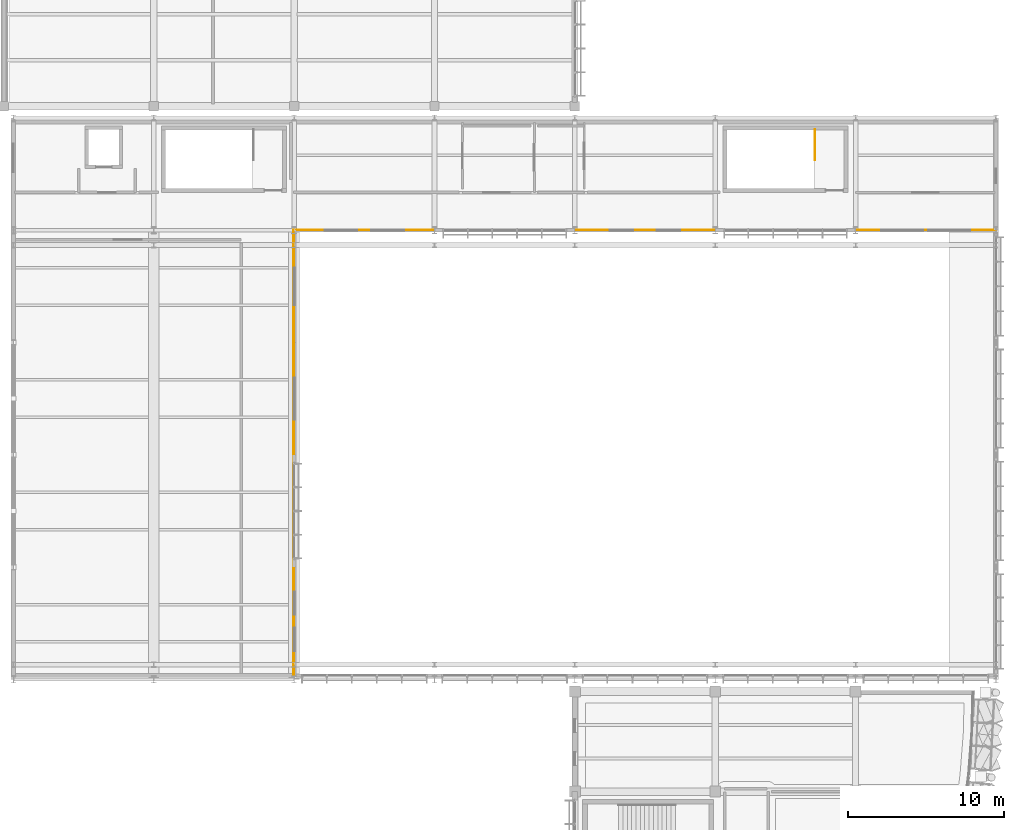
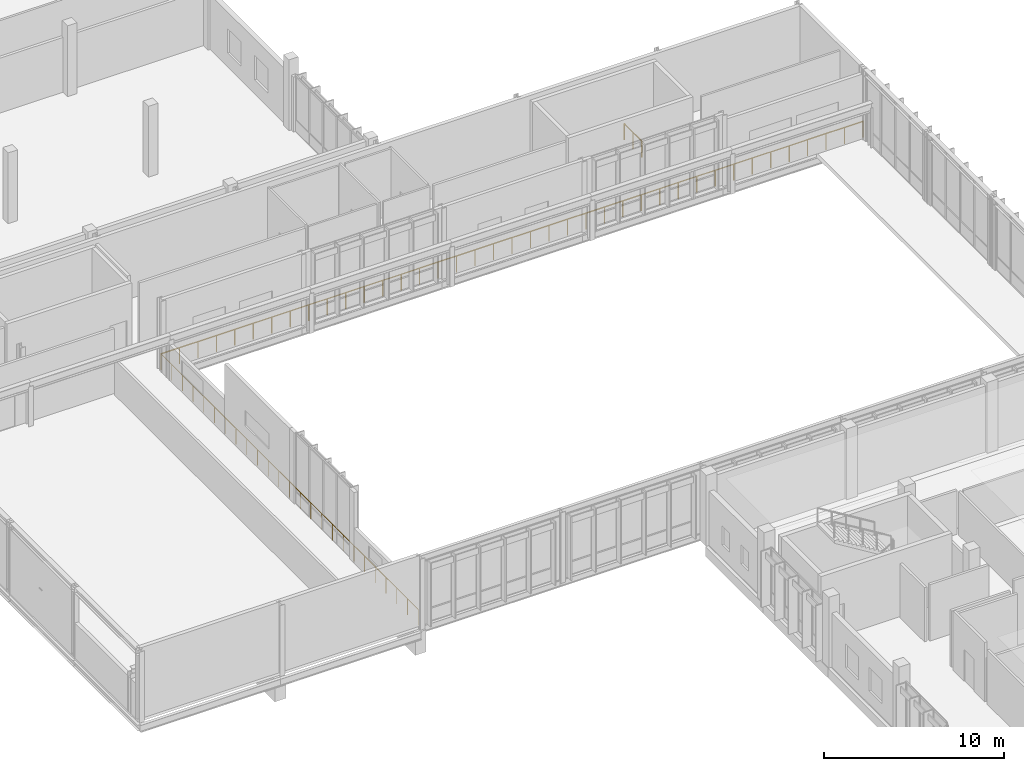
# One storey, part 177 of 177: 3 railings.
"""IFC4 building model written with IfcOpenShell, lengths in metres."""

from ifc_helpers import new_model, si_unit, direction, frame, origin, origin_2d, place, context, subcontext, project, spatial, circle, extrude, material, layer, layer_set, type_object, element, save


model = new_model("IFC4")

# Units and contexts
model_context = context("Model", 3, precision=1e-05, world=origin(), true_north=direction((0.0, 1.0)))
body_context = subcontext(model_context, "Body", "Model", "MODEL_VIEW")
ifc_project = project(units=[si_unit("LENGTHUNIT", "METRE"), si_unit("AREAUNIT", "SQUARE_METRE"), si_unit("VOLUMEUNIT", "CUBIC_METRE"), si_unit("PLANEANGLEUNIT", "RADIAN"), si_unit("MASSUNIT", "GRAM", prefix="KILO")], contexts=[model_context])

# Site, building, storey
site_placement = place(None, origin())
site = spatial("IfcSite", under=ifc_project, at=site_placement, CompositionType="ELEMENT")
building_placement = place(site_placement, origin())
building = spatial("IfcBuilding", under=site, at=building_placement, Name="Chiffa Square Polytechnic", CompositionType="ELEMENT")
storey_placement = place(building_placement, frame((0.0, 0.0, 4.800048828125)))
storey = spatial("IfcBuildingStorey", under=building, at=storey_placement, Name="L01", CompositionType="ELEMENT", Elevation=4.800048828125)

# Railings
ifc_material = material(Name="Steel S355", Category="steel")
ifc_layer = layer(ifc_material, 0.050048828125, Name="Steel S355")
ifc_layer_set = layer_set([ifc_layer], Name="Steel S355")
railing_type = type_object("IfcRailingType", Name="RL-STAIR-GUARD", PredefinedType="GUARDRAIL", material=ifc_layer_set)
railing_1_placement = place(storey_placement, frame((163.60009765625, 93.449951171875, 0.0)))
element("IfcRailing", 1, at=railing_1_placement, inside=storey, type_object=railing_type, Name="L01 ST-V2B top well guard 1", PredefinedType="GUARDRAIL", context=body_context, shape_type="SweptSolid", body=[
    extrude(circle(Radius=0.02392578125, at=origin_2d()), frame((0.0, 0.0, 1.076171875), z_axis=(0.0, -1.0, 0.0), x_axis=(1.0, 0.0, 0.0)), (0.0, 0.0, 1.0), 1.949951171875),
    extrude(circle(Radius=0.02099609375, at=origin_2d()), origin(), (0.0, 0.0, 1.0), 1.052001953125),
    extrude(circle(Radius=0.02099609375, at=origin_2d()), frame((0.0, -0.97509765625, 0.0)), (0.0, 0.0, 1.0), 1.052001953125),
    extrude(circle(Radius=0.02099609375, at=origin_2d()), frame((0.0, -1.949951171875, 0.0)), (0.0, 0.0, 1.0), 1.052001953125),
])
railing_2_placement = place(storey_placement, frame((130.179931640625, 58.449951171875, 0.0)))
element("IfcRailing", 2, at=railing_2_placement, inside=storey, type_object=railing_type, Name="Workshop gallery west guard", PredefinedType="GUARDRAIL", context=body_context, shape_type="SweptSolid", body=[
    extrude(circle(Radius=0.02392578125, at=origin_2d()), frame((0.0, 0.0, 1.076171875), z_axis=(0.0, 1.0, 0.0), x_axis=(-1.0, 0.0, 0.0)), (0.0, 0.0, 1.0), 28.570068359375),
    extrude(circle(Radius=0.02099609375, at=origin_2d()), origin(), (0.0, 0.0, 1.0), 1.052001953125),
    extrude(circle(Radius=0.02099609375, at=origin_2d()), frame((0.0, 1.1904296875, 0.0)), (0.0, 0.0, 1.0), 1.052001953125),
    extrude(circle(Radius=0.02099609375, at=origin_2d()), frame((0.0, 2.380859375, 0.0)), (0.0, 0.0, 1.0), 1.052001953125),
    extrude(circle(Radius=0.02099609375, at=origin_2d()), frame((0.0, 3.5712890625, 0.0)), (0.0, 0.0, 1.0), 1.052001953125),
    extrude(circle(Radius=0.02099609375, at=origin_2d()), frame((0.0, 4.76171875, 0.0)), (0.0, 0.0, 1.0), 1.052001953125),
    extrude(circle(Radius=0.02099609375, at=origin_2d()), frame((0.0, 5.9521484375, 0.0)), (0.0, 0.0, 1.0), 1.052001953125),
    extrude(circle(Radius=0.02099609375, at=origin_2d()), frame((0.0, 7.142578125, 0.0)), (0.0, 0.0, 1.0), 1.052001953125),
    extrude(circle(Radius=0.02099609375, at=origin_2d()), frame((0.0, 8.3330078125, 0.0)), (0.0, 0.0, 1.0), 1.052001953125),
    extrude(circle(Radius=0.02099609375, at=origin_2d()), frame((0.0, 9.5234375, 0.0)), (0.0, 0.0, 1.0), 1.052001953125),
    extrude(circle(Radius=0.02099609375, at=origin_2d()), frame((0.0, 10.7138671875, 0.0)), (0.0, 0.0, 1.0), 1.052001953125),
    extrude(circle(Radius=0.02099609375, at=origin_2d()), frame((0.0, 11.904296875, 0.0)), (0.0, 0.0, 1.0), 1.052001953125),
    extrude(circle(Radius=0.02099609375, at=origin_2d()), frame((0.0, 13.0947265625, 0.0)), (0.0, 0.0, 1.0), 1.052001953125),
    extrude(circle(Radius=0.02099609375, at=origin_2d()), frame((0.0, 14.28515625, 0.0)), (0.0, 0.0, 1.0), 1.052001953125),
    extrude(circle(Radius=0.02099609375, at=origin_2d()), frame((0.0, 15.475341796875, 0.0)), (0.0, 0.0, 1.0), 1.052001953125),
    extrude(circle(Radius=0.02099609375, at=origin_2d()), frame((0.0, 16.665771484375, 0.0)), (0.0, 0.0, 1.0), 1.052001953125),
    extrude(circle(Radius=0.02099609375, at=origin_2d()), frame((0.0, 17.856201171875, 0.0)), (0.0, 0.0, 1.0), 1.052001953125),
    extrude(circle(Radius=0.02099609375, at=origin_2d()), frame((0.0, 19.046630859375, 0.0)), (0.0, 0.0, 1.0), 1.052001953125),
    extrude(circle(Radius=0.02099609375, at=origin_2d()), frame((0.0, 20.237060546875, 0.0)), (0.0, 0.0, 1.0), 1.052001953125),
    extrude(circle(Radius=0.02099609375, at=origin_2d()), frame((0.0, 21.427490234375, 0.0)), (0.0, 0.0, 1.0), 1.052001953125),
    extrude(circle(Radius=0.02099609375, at=origin_2d()), frame((0.0, 22.617919921875, 0.0)), (0.0, 0.0, 1.0), 1.052001953125),
    extrude(circle(Radius=0.02099609375, at=origin_2d()), frame((0.0, 23.808349609375, 0.0)), (0.0, 0.0, 1.0), 1.052001953125),
    extrude(circle(Radius=0.02099609375, at=origin_2d()), frame((0.0, 24.998779296875, 0.0)), (0.0, 0.0, 1.0), 1.052001953125),
    extrude(circle(Radius=0.02099609375, at=origin_2d()), frame((0.0, 26.189208984375, 0.0)), (0.0, 0.0, 1.0), 1.052001953125),
    extrude(circle(Radius=0.02099609375, at=origin_2d()), frame((0.0, 27.379638671875, 0.0)), (0.0, 0.0, 1.0), 1.052001953125),
    extrude(circle(Radius=0.02099609375, at=origin_2d()), frame((0.0, 28.570068359375, 0.0)), (0.0, 0.0, 1.0), 1.052001953125),
])
railing_3_placement = place(storey_placement, frame((130.179931640625, 87.02001953125, 0.0)))
element("IfcRailing", 3, at=railing_3_placement, inside=storey, type_object=railing_type, Name="Workshop gallery south guard", PredefinedType="GUARDRAIL", context=body_context, shape_type="SweptSolid", body=[
    extrude(circle(Radius=0.02392578125, at=origin_2d()), frame((0.0, 0.0, 1.076171875), z_axis=(1.0, 0.0, 0.0), x_axis=(0.0, 1.0, 0.0)), (0.0, 0.0, 1.0), 45.02001953125),
    extrude(circle(Radius=0.02099609375, at=origin_2d()), origin(), (0.0, 0.0, 1.0), 1.052001953125),
    extrude(circle(Radius=0.02099609375, at=origin_2d()), frame((1.184814453125, 0.0, 0.0)), (0.0, 0.0, 1.0), 1.052001953125),
    extrude(circle(Radius=0.02099609375, at=origin_2d()), frame((2.369384765625, 0.0, 0.0)), (0.0, 0.0, 1.0), 1.052001953125),
    extrude(circle(Radius=0.02099609375, at=origin_2d()), frame((3.55419921875, 0.0, 0.0)), (0.0, 0.0, 1.0), 1.052001953125),
    extrude(circle(Radius=0.02099609375, at=origin_2d()), frame((4.739013671875, 0.0, 0.0)), (0.0, 0.0, 1.0), 1.052001953125),
    extrude(circle(Radius=0.02099609375, at=origin_2d()), frame((5.923583984375, 0.0, 0.0)), (0.0, 0.0, 1.0), 1.052001953125),
    extrude(circle(Radius=0.02099609375, at=origin_2d()), frame((7.1083984375, 0.0, 0.0)), (0.0, 0.0, 1.0), 1.052001953125),
    extrude(circle(Radius=0.02099609375, at=origin_2d()), frame((8.293212890625, 0.0, 0.0)), (0.0, 0.0, 1.0), 1.052001953125),
    extrude(circle(Radius=0.02099609375, at=origin_2d()), frame((9.477783203125, 0.0, 0.0)), (0.0, 0.0, 1.0), 1.052001953125),
    extrude(circle(Radius=0.02099609375, at=origin_2d()), frame((10.66259765625, 0.0, 0.0)), (0.0, 0.0, 1.0), 1.052001953125),
    extrude(circle(Radius=0.02099609375, at=origin_2d()), frame((11.847412109375, 0.0, 0.0)), (0.0, 0.0, 1.0), 1.052001953125),
    extrude(circle(Radius=0.02099609375, at=origin_2d()), frame((13.0322265625, 0.0, 0.0)), (0.0, 0.0, 1.0), 1.052001953125),
    extrude(circle(Radius=0.02099609375, at=origin_2d()), frame((14.216796875, 0.0, 0.0)), (0.0, 0.0, 1.0), 1.052001953125),
    extrude(circle(Radius=0.02099609375, at=origin_2d()), frame((15.401611328125, 0.0, 0.0)), (0.0, 0.0, 1.0), 1.052001953125),
    extrude(circle(Radius=0.02099609375, at=origin_2d()), frame((16.58642578125, 0.0, 0.0)), (0.0, 0.0, 1.0), 1.052001953125),
    extrude(circle(Radius=0.02099609375, at=origin_2d()), frame((17.77099609375, 0.0, 0.0)), (0.0, 0.0, 1.0), 1.052001953125),
    extrude(circle(Radius=0.02099609375, at=origin_2d()), frame((18.955810546875, 0.0, 0.0)), (0.0, 0.0, 1.0), 1.052001953125),
    extrude(circle(Radius=0.02099609375, at=origin_2d()), frame((20.140625, 0.0, 0.0)), (0.0, 0.0, 1.0), 1.052001953125),
    extrude(circle(Radius=0.02099609375, at=origin_2d()), frame((21.3251953125, 0.0, 0.0)), (0.0, 0.0, 1.0), 1.052001953125),
    extrude(circle(Radius=0.02099609375, at=origin_2d()), frame((22.510009765625, 0.0, 0.0)), (0.0, 0.0, 1.0), 1.052001953125),
    extrude(circle(Radius=0.02099609375, at=origin_2d()), frame((23.69482421875, 0.0, 0.0)), (0.0, 0.0, 1.0), 1.052001953125),
    extrude(circle(Radius=0.02099609375, at=origin_2d()), frame((24.87939453125, 0.0, 0.0)), (0.0, 0.0, 1.0), 1.052001953125),
    extrude(circle(Radius=0.02099609375, at=origin_2d()), frame((26.064208984375, 0.0, 0.0)), (0.0, 0.0, 1.0), 1.052001953125),
    extrude(circle(Radius=0.02099609375, at=origin_2d()), frame((27.2490234375, 0.0, 0.0)), (0.0, 0.0, 1.0), 1.052001953125),
    extrude(circle(Radius=0.02099609375, at=origin_2d()), frame((28.43359375, 0.0, 0.0)), (0.0, 0.0, 1.0), 1.052001953125),
    extrude(circle(Radius=0.02099609375, at=origin_2d()), frame((29.618408203125, 0.0, 0.0)), (0.0, 0.0, 1.0), 1.052001953125),
    extrude(circle(Radius=0.02099609375, at=origin_2d()), frame((30.80322265625, 0.0, 0.0)), (0.0, 0.0, 1.0), 1.052001953125),
    extrude(circle(Radius=0.02099609375, at=origin_2d()), frame((31.98779296875, 0.0, 0.0)), (0.0, 0.0, 1.0), 1.052001953125),
    extrude(circle(Radius=0.02099609375, at=origin_2d()), frame((33.172607421875, 0.0, 0.0)), (0.0, 0.0, 1.0), 1.052001953125),
    extrude(circle(Radius=0.02099609375, at=origin_2d()), frame((34.357421875, 0.0, 0.0)), (0.0, 0.0, 1.0), 1.052001953125),
    extrude(circle(Radius=0.02099609375, at=origin_2d()), frame((35.542236328125, 0.0, 0.0)), (0.0, 0.0, 1.0), 1.052001953125),
    extrude(circle(Radius=0.02099609375, at=origin_2d()), frame((36.726806640625, 0.0, 0.0)), (0.0, 0.0, 1.0), 1.052001953125),
    extrude(circle(Radius=0.02099609375, at=origin_2d()), frame((37.91162109375, 0.0, 0.0)), (0.0, 0.0, 1.0), 1.052001953125),
    extrude(circle(Radius=0.02099609375, at=origin_2d()), frame((39.096435546875, 0.0, 0.0)), (0.0, 0.0, 1.0), 1.052001953125),
    extrude(circle(Radius=0.02099609375, at=origin_2d()), frame((40.281005859375, 0.0, 0.0)), (0.0, 0.0, 1.0), 1.052001953125),
    extrude(circle(Radius=0.02099609375, at=origin_2d()), frame((41.4658203125, 0.0, 0.0)), (0.0, 0.0, 1.0), 1.052001953125),
    extrude(circle(Radius=0.02099609375, at=origin_2d()), frame((42.650634765625, 0.0, 0.0)), (0.0, 0.0, 1.0), 1.052001953125),
    extrude(circle(Radius=0.02099609375, at=origin_2d()), frame((43.835205078125, 0.0, 0.0)), (0.0, 0.0, 1.0), 1.052001953125),
    extrude(circle(Radius=0.02099609375, at=origin_2d()), frame((45.02001953125, 0.0, 0.0)), (0.0, 0.0, 1.0), 1.052001953125),
])

save(model, "model.ifc")
